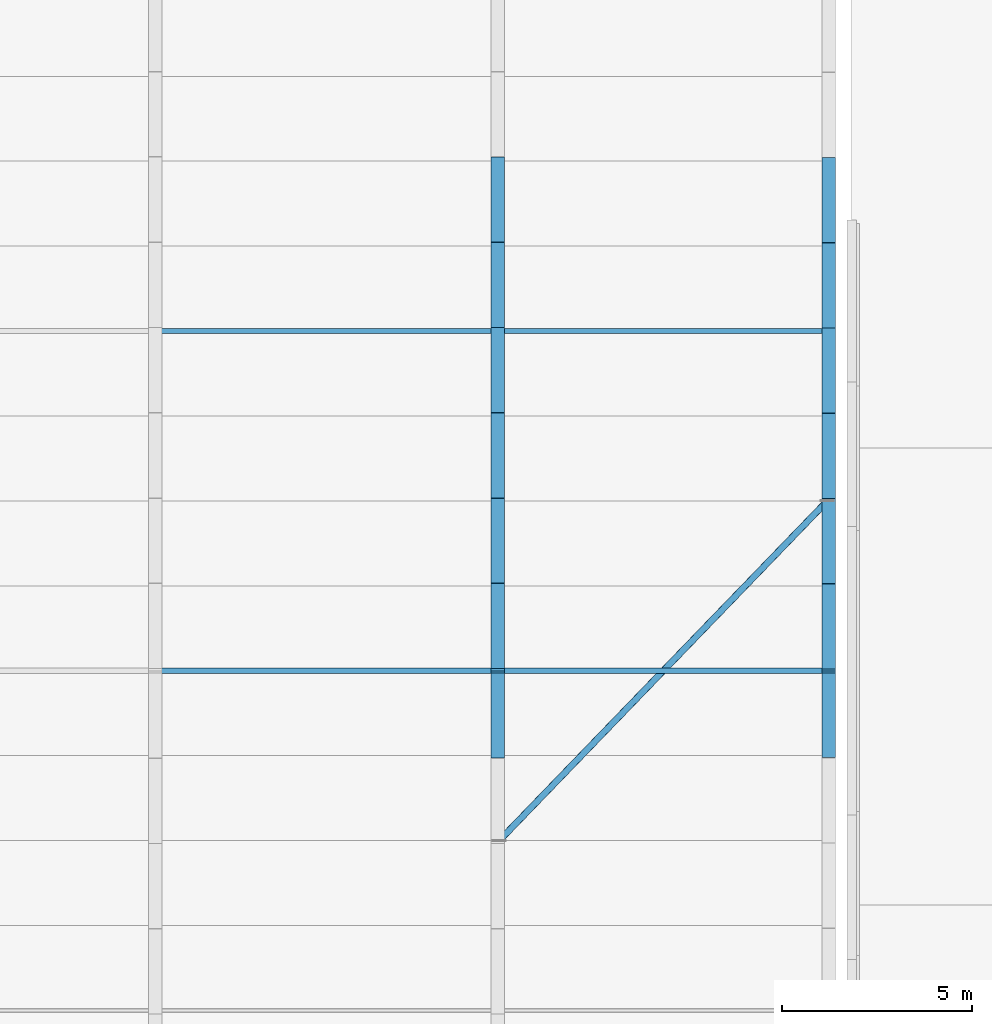
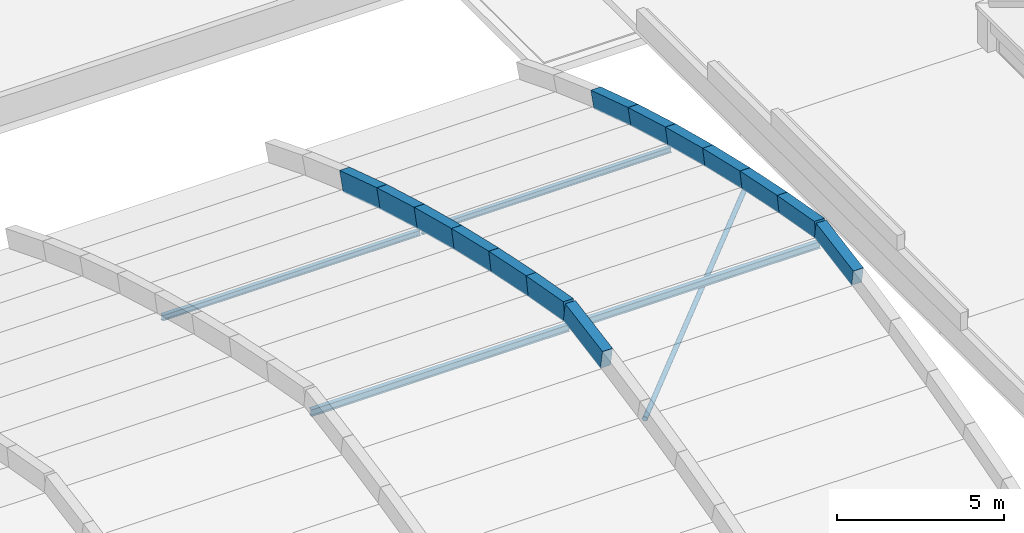
# One storey, part 34 of 56: 14 beams, 5 members.
"""IFC4 building model written with IfcOpenShell, lengths in metres."""

from ifc_helpers import new_model, si_unit, direction, frame, origin, origin_2d, place, context, subcontext, project, spatial, rectangle, hollow_circle, i_section, extrude, material, material_profile, profile_set, type_object, element, save


model = new_model("IFC4")

# Units and contexts
model_context = context("Model", 3, precision=1e-05, world=origin(), true_north=direction((0.0, 1.0)))
body_context = subcontext(model_context, "Body", "Model", "MODEL_VIEW")
ifc_project = project(units=[si_unit("LENGTHUNIT", "METRE"), si_unit("AREAUNIT", "SQUARE_METRE"), si_unit("VOLUMEUNIT", "CUBIC_METRE"), si_unit("PLANEANGLEUNIT", "RADIAN"), si_unit("MASSUNIT", "GRAM", prefix="KILO")], contexts=[model_context])

# Site, building, storey
site_placement = place(None, origin())
site = spatial("IfcSite", under=ifc_project, at=site_placement, CompositionType="ELEMENT")
building_placement = place(site_placement, origin())
building = spatial("IfcBuilding", under=site, at=building_placement, Name="Zacnel Wholesale Market", CompositionType="ELEMENT")
storey_placement = place(building_placement, frame((0.0, 0.0, 20.300048828125)))
storey = spatial("IfcBuildingStorey", under=building, at=storey_placement, Name="RF", CompositionType="ELEMENT", Elevation=20.300048828125)

# Beams
ifc_material_1 = material(Name="Concrete C40/50", Category="concrete")
ifc_material_profile_1 = material_profile(ifc_material_1, rectangle(XDim=0.35009765625, YDim=0.60009765625, at=origin_2d()), Name="ARCH RIB 350x600")
ifc_profile_set_1 = profile_set([ifc_material_profile_1], Name="Concrete C40/50")
beam_type_1 = type_object("IfcBeamType", Name="BM-AR600", PredefinedType="USERDEFINED", material=ifc_profile_set_1)
for number, where, z_axis, x_axis, name in (
    (1, (143.699951171875, 111.918701171875, -4.22998046875), (0.0, 0.984314876249, 0.176420589484), (-1.0, 0.0, 0.0), "Extrados arch rib north_west-143.7-S08"),
    (2, (143.699951171875, 114.14990234375, -3.830078125), (0.0, 0.984314876249, -0.176420589484), (-1.0, 0.0, 0.0), "Extrados arch rib north_west-143.7-S09"),
):
    element("IfcBeam", number, at=place(storey_placement, frame(where, z_axis=z_axis, x_axis=x_axis)), inside=storey, type_object=beam_type_1, Name=name, ObjectType="ARCH RIB", PredefinedType="USERDEFINED", context=body_context, shape_type="SweptSolid", body=[
        extrude(rectangle(XDim=0.35009765625, YDim=0.60009765625, at=origin_2d()), origin(), (0.0, 0.0, 1.0), 2.266845703125),
    ])
beam_1_placement = place(storey_placement, frame((143.699951171875, 116.381103515625, -4.22998046875), z_axis=(0.0, 0.979409707408, -0.201882701177), x_axis=(-1.0, 0.0, 0.0)))
element("IfcBeam", 3, at=beam_1_placement, inside=storey, type_object=beam_type_1, Name="Extrados arch rib north_west-143.7-S10", ObjectType="ARCH RIB", PredefinedType="USERDEFINED", context=body_context, shape_type="SweptSolid", body=[
    extrude(rectangle(XDim=0.35009765625, YDim=0.60009765625, at=origin_2d()), origin(), (0.0, 0.0, 1.0), 2.2783203125),
])
beam_2_placement = place(storey_placement, frame((143.699951171875, 118.612548828125, -4.68994140625), z_axis=(0.0, 0.973898559906, -0.226983688872), x_axis=(-1.0, 0.0, 0.0)))
element("IfcBeam", 4, at=beam_2_placement, inside=storey, type_object=beam_type_1, Name="Extrados arch rib north_west-143.7-S11", ObjectType="ARCH RIB", PredefinedType="USERDEFINED", context=body_context, shape_type="SweptSolid", body=[
    extrude(rectangle(XDim=0.35009765625, YDim=0.60009765625, at=origin_2d()), origin(), (0.0, 0.0, 1.0), 2.291015625),
])
beam_3_placement = place(storey_placement, frame((143.699951171875, 120.84375, -5.2099609375), z_axis=(0.0, 0.967826117389, -0.251619964429), x_axis=(-1.0, 0.0, 0.0)))
element("IfcBeam", 5, at=beam_3_placement, inside=storey, type_object=beam_type_1, Name="Extrados arch rib north_west-143.7-S12", ObjectType="ARCH RIB", PredefinedType="USERDEFINED", context=body_context, shape_type="SweptSolid", body=[
    extrude(rectangle(XDim=0.35009765625, YDim=0.60009765625, at=origin_2d()), origin(), (0.0, 0.0, 1.0), 2.305419921875),
])
beam_4_placement = place(storey_placement, frame((143.699951171875, 123.074951171875, -5.7900390625), z_axis=(0.0, 0.961257594689, -0.275651658171), x_axis=(-1.0, 0.0, 0.0)))
element("IfcBeam", 6, at=beam_4_placement, inside=storey, type_object=beam_type_1, Name="Extrados arch rib north_west-143.7-S13", ObjectType="ARCH RIB", PredefinedType="USERDEFINED", context=body_context, shape_type="SweptSolid", body=[
    extrude(rectangle(XDim=0.35009765625, YDim=0.60009765625, at=origin_2d()), origin(), (0.0, 0.0, 1.0), 2.3212890625),
])
beam_5_placement = place(storey_placement, frame((143.699951171875, 125.306396484375, -6.429931640625), z_axis=(0.0, 0.951649713947, -0.307185321823), x_axis=(-1.0, 0.0, 0.0)))
element("IfcBeam", 7, at=beam_5_placement, inside=storey, type_object=beam_type_1, Name="Extrados arch rib north_west-143.7-S14", ObjectType="ARCH RIB", PredefinedType="USERDEFINED", context=body_context, shape_type="SweptSolid", body=[
    extrude(rectangle(XDim=0.35009765625, YDim=0.60009765625, at=origin_2d()), origin(), (0.0, 0.0, 1.0), 2.344482421875),
])
ifc_material_2 = material(Name="Concrete C40/50", Category="concrete")
ifc_material_profile_2 = material_profile(ifc_material_2, rectangle(XDim=0.35009765625, YDim=0.699951171875, at=origin_2d()), Name="ARCH RIB 350x700")
ifc_profile_set_2 = profile_set([ifc_material_profile_2], Name="Concrete C40/50")
beam_type_2 = type_object("IfcBeamType", Name="BM-AR700", PredefinedType="USERDEFINED", material=ifc_profile_set_2)
for number, where, z_axis, x_axis, name in (
    (8, (135.0, 111.918701171875, -4.179931640625), (0.0, 0.984314876249, 0.176420589484), (-1.0, 0.0, 0.0), "Extrados arch rib north_west-135.0-S08"),
    (9, (135.0, 114.14990234375, -3.780029296875), (0.0, 0.984314876249, -0.176420589484), (-1.0, 0.0, 0.0), "Extrados arch rib north_west-135.0-S09"),
):
    element("IfcBeam", number, at=place(storey_placement, frame(where, z_axis=z_axis, x_axis=x_axis)), inside=storey, type_object=beam_type_2, Name=name, ObjectType="ARCH RIB", PredefinedType="USERDEFINED", context=body_context, shape_type="SweptSolid", body=[
        extrude(rectangle(XDim=0.35009765625, YDim=0.699951171875, at=origin_2d()), origin(), (0.0, 0.0, 1.0), 2.266845703125),
    ])
beam_6_placement = place(storey_placement, frame((135.0, 116.381103515625, -4.179931640625), z_axis=(0.0, 0.979388514875, -0.20198548693), x_axis=(-1.0, 0.0, 0.0)))
element("IfcBeam", 10, at=beam_6_placement, inside=storey, type_object=beam_type_2, Name="Extrados arch rib north_west-135.0-S10", ObjectType="ARCH RIB", PredefinedType="USERDEFINED", context=body_context, shape_type="SweptSolid", body=[
    extrude(rectangle(XDim=0.35009765625, YDim=0.699951171875, at=origin_2d()), origin(), (0.0, 0.0, 1.0), 2.2783203125),
])
beam_7_placement = place(storey_placement, frame((135.0, 118.612548828125, -4.64013671875), z_axis=(0.0, 0.973898559906, -0.226983688872), x_axis=(-1.0, 0.0, 0.0)))
element("IfcBeam", 11, at=beam_7_placement, inside=storey, type_object=beam_type_2, Name="Extrados arch rib north_west-135.0-S11", ObjectType="ARCH RIB", PredefinedType="USERDEFINED", context=body_context, shape_type="SweptSolid", body=[
    extrude(rectangle(XDim=0.35009765625, YDim=0.699951171875, at=origin_2d()), origin(), (0.0, 0.0, 1.0), 2.291015625),
])
beam_8_placement = place(storey_placement, frame((135.0, 120.84375, -5.16015625), z_axis=(0.0, 0.967851902384, -0.251520764653), x_axis=(-1.0, 0.0, 0.0)))
element("IfcBeam", 12, at=beam_8_placement, inside=storey, type_object=beam_type_2, Name="Extrados arch rib north_west-135.0-S12", ObjectType="ARCH RIB", PredefinedType="USERDEFINED", context=body_context, shape_type="SweptSolid", body=[
    extrude(rectangle(XDim=0.35009765625, YDim=0.699951171875, at=origin_2d()), origin(), (0.0, 0.0, 1.0), 2.305419921875),
])
beam_9_placement = place(storey_placement, frame((135.0, 123.074951171875, -5.739990234375), z_axis=(0.0, 0.961229723344, -0.275748833108), x_axis=(-1.0, 0.0, 0.0)))
element("IfcBeam", 13, at=beam_9_placement, inside=storey, type_object=beam_type_2, Name="Extrados arch rib north_west-135.0-S13", ObjectType="ARCH RIB", PredefinedType="USERDEFINED", context=body_context, shape_type="SweptSolid", body=[
    extrude(rectangle(XDim=0.35009765625, YDim=0.699951171875, at=origin_2d()), origin(), (0.0, 0.0, 1.0), 2.321533203125),
])
beam_10_placement = place(storey_placement, frame((135.0, 125.306396484375, -6.380126953125), z_axis=(0.0, 0.951680151046, -0.30709101274), x_axis=(-1.0, 0.0, 0.0)))
element("IfcBeam", 14, at=beam_10_placement, inside=storey, type_object=beam_type_2, Name="Extrados arch rib north_west-135.0-S14", ObjectType="ARCH RIB", PredefinedType="USERDEFINED", context=body_context, shape_type="SweptSolid", body=[
    extrude(rectangle(XDim=0.35009765625, YDim=0.699951171875, at=origin_2d()), origin(), (0.0, 0.0, 1.0), 2.344482421875),
])

# Members
ifc_material_3 = material(Name="Steel S355", Category="steel")
ifc_material_profile_3 = material_profile(ifc_material_3, hollow_circle(Radius=0.084228515625, WallThickness=0.008056640625, at=origin_2d()), Name="CHS 168.3x8")
ifc_profile_set_3 = profile_set([ifc_material_profile_3], Name="Steel S355")
member_type_1 = type_object("IfcMemberType", Name="MEM-BRC-CHS168", PredefinedType="BRACE", material=ifc_profile_set_3)
member_1_placement = place(storey_placement, frame((135.0400390625, 109.6875, -5.06005859375), z_axis=(0.69470230644, 0.719297369262, 0.0), x_axis=(-0.719297369262, 0.69470230644, 0.0)))
element("IfcMember", 15, at=member_1_placement, inside=storey, type_object=member_type_1, Name="Shell diaphragm brace 009", PredefinedType="BRACE", context=body_context, shape_type="SweptSolid", body=[
    extrude(hollow_circle(Radius=0.084228515625, WallThickness=0.008056640625, at=origin_2d()), origin(), (0.0, 0.0, 1.0), 12.407958984375),
])
ifc_material_4 = material(Name="Steel S355", Category="steel")
ifc_material_profile_4 = material_profile(ifc_material_4, i_section(OverallWidth=0.133056640625, OverallDepth=0.20703125, WebThickness=0.005859375, FlangeThickness=0.00830078125, FilletRadius=0.008056640625, at=origin_2d()), Name="W200X26.6")
ifc_profile_set_4 = profile_set([ifc_material_profile_4], Name="Steel S355")
member_type_2 = type_object("IfcMemberType", Name="MEM-PUR-W200", PredefinedType="PURLIN", material=ifc_profile_set_4)
member_2_placement = place(storey_placement, frame((126.02001953125, 123.074951171875, -6.298583984375), z_axis=(1.0, 0.0, 0.0), x_axis=(0.0, 1.0, 0.0)))
element("IfcMember", 16, at=member_2_placement, inside=storey, type_object=member_type_2, Name="Shell longitudinal tie purlin 0021", PredefinedType="PURLIN", context=body_context, shape_type="SweptSolid", body=[
    extrude(i_section(OverallWidth=0.133056640625, OverallDepth=0.20703125, WebThickness=0.005859375, FlangeThickness=0.00830078125, FilletRadius=0.008056640625, at=origin_2d()), origin(), (0.0, 0.0, 1.0), 8.9599609375),
])
member_3_placement = place(storey_placement, frame((135.02001953125, 123.074951171875, -6.298583984375), z_axis=(1.0, 0.0, 0.0), x_axis=(0.0, 1.0, 0.0)))
element("IfcMember", 17, at=member_3_placement, inside=storey, type_object=member_type_2, Name="Shell longitudinal tie purlin 0024", PredefinedType="PURLIN", context=body_context, shape_type="SweptSolid", body=[
    extrude(i_section(OverallWidth=0.133056640625, OverallDepth=0.20703125, WebThickness=0.005859375, FlangeThickness=0.00830078125, FilletRadius=0.008056640625, at=origin_2d()), origin(), (0.0, 0.0, 1.0), 8.659912109375),
])
ifc_material_5 = material(Name="Steel S355", Category="steel")
ifc_material_profile_5 = material_profile(ifc_material_5, i_section(OverallWidth=0.14599609375, OverallDepth=0.258056640625, WebThickness=0.006103515625, FlangeThickness=0.009033203125, FilletRadius=0.009033203125, at=origin_2d()), Name="W250X32.7")
ifc_profile_set_5 = profile_set([ifc_material_profile_5], Name="Steel S355")
member_type_3 = type_object("IfcMemberType", Name="MEM-PUR-W250", PredefinedType="PURLIN", material=ifc_profile_set_5)
member_4_placement = place(storey_placement, frame((126.02001953125, 114.14990234375, -4.364013671875), z_axis=(1.0, 0.0, 0.0), x_axis=(0.0, 1.0, 0.0)))
element("IfcMember", 18, at=member_4_placement, inside=storey, type_object=member_type_3, Name="Shell longitudinal tie purlin 0020", PredefinedType="PURLIN", context=body_context, shape_type="SweptSolid", body=[
    extrude(i_section(OverallWidth=0.14599609375, OverallDepth=0.258056640625, WebThickness=0.006103515625, FlangeThickness=0.009033203125, FilletRadius=0.009033203125, at=origin_2d()), origin(), (0.0, 0.0, 1.0), 8.9599609375),
])
member_5_placement = place(storey_placement, frame((135.02001953125, 114.14990234375, -4.364013671875), z_axis=(1.0, 0.0, 0.0), x_axis=(0.0, 1.0, 0.0)))
element("IfcMember", 19, at=member_5_placement, inside=storey, type_object=member_type_3, Name="Shell longitudinal tie purlin 0023", PredefinedType="PURLIN", context=body_context, shape_type="SweptSolid", body=[
    extrude(i_section(OverallWidth=0.14599609375, OverallDepth=0.258056640625, WebThickness=0.006103515625, FlangeThickness=0.009033203125, FilletRadius=0.009033203125, at=origin_2d()), origin(), (0.0, 0.0, 1.0), 8.659912109375),
])

save(model, "model.ifc")
